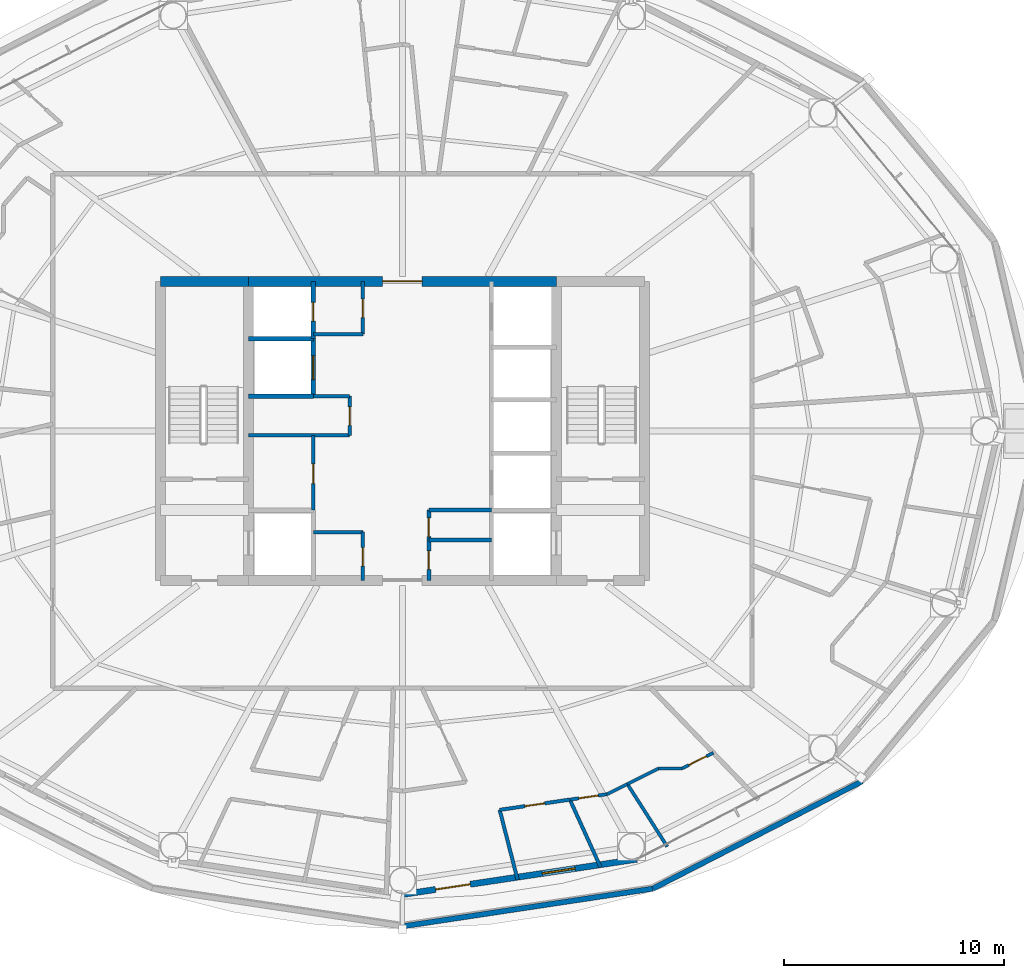
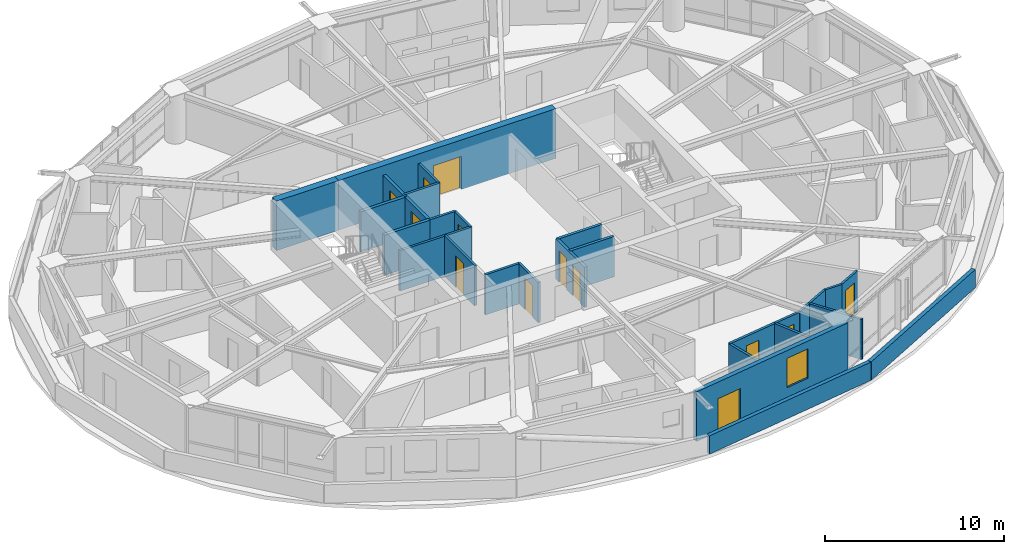
# One storey, part 21 of 27: 29 walls, 13 doors, 1 window, 14 openings.
"""IFC4 building model written with IfcOpenShell, lengths in metres."""

from ifc_helpers import new_model, si_unit, direction, frame, frame_2d, origin, place, context, subcontext, project, spatial, rectangle, extrude, material, layer, layer_set, type_object, element, fill, save


model = new_model("IFC4")

# Units and contexts
model_context = context("Model", 3, precision=1e-05, world=origin(), true_north=direction((0.0, 1.0)))
body_context = subcontext(model_context, "Body", "Model", "MODEL_VIEW")
ifc_project = project(units=[si_unit("LENGTHUNIT", "METRE"), si_unit("AREAUNIT", "SQUARE_METRE"), si_unit("VOLUMEUNIT", "CUBIC_METRE"), si_unit("PLANEANGLEUNIT", "RADIAN"), si_unit("MASSUNIT", "GRAM", prefix="KILO")], contexts=[model_context])

# Site, building, storey
site_placement = place(None, origin())
site = spatial("IfcSite", under=ifc_project, at=site_placement, CompositionType="ELEMENT")
building_placement = place(site_placement, origin())
building = spatial("IfcBuilding", under=site, at=building_placement, Name="Sarneth Arch Tower", CompositionType="ELEMENT")
storey_placement = place(building_placement, frame((0.0, 0.0, 150.60009765625)))
storey = spatial("IfcBuildingStorey", under=building, at=storey_placement, Name="L37", CompositionType="ELEMENT", Elevation=150.60009765625)

# Wall
ifc_material_1 = material(Name="Concrete C50/60", Category="concrete")
ifc_layer_1 = layer(ifc_material_1, 0.449951171875)
ifc_layer_set_1 = layer_set([ifc_layer_1], Name="Concrete C50/60")
wall_type_1 = type_object("IfcWallType", Name="WALL-CORE-450", PredefinedType="SHEAR", material=ifc_layer_set_1)
wall_1_placement = place(storey_placement, frame((37.0, 48.800048828125, 0.0), z_axis=(0.0, 0.0, 1.0), x_axis=(1.0, 0.0, 0.0)))
element("IfcWall", 1, at=wall_1_placement, inside=storey, type_object=wall_type_1, Name="L37 Core shear wall N-W", PredefinedType="SHEAR", context=body_context, shape_type="SweptSolid", body=[
    extrude(rectangle(XDim=4.0, YDim=0.449951171875, at=frame_2d((2.0, 0.0))), origin(), (0.0, 0.0, 1.0), 3.3798828125),
])

# Wall, opening, door
wall_2_placement = place(storey_placement, frame((41.0, 48.800048828125, 0.0), z_axis=(0.0, 0.0, 1.0), x_axis=(1.0, 0.0, 0.0)))
wall_2 = element("IfcWall", 2, at=wall_2_placement, inside=storey, type_object=wall_type_1, Name="L37 Core shear wall N-M", PredefinedType="SHEAR", context=body_context, shape_type="SweptSolid", body=[
    extrude(rectangle(XDim=14.0, YDim=0.449951171875, at=frame_2d((7.0, 0.0))), origin(), (0.0, 0.0, 1.0), 3.3798828125),
])
opening_1_placement = place(wall_2_placement, frame((6.10009765625, 0.0, 0.0)))
opening_1 = element("IfcOpeningElement", 3, at=opening_1_placement, cuts=wall_2, Name="Opening FD-01", PredefinedType="OPENING", context=body_context, shape_type="SweptSolid", body=[
    extrude(rectangle(XDim=1.800048828125, YDim=2.25, at=frame_2d((0.89990234375, 1.125))), frame((0.0, 0.23486328125, 0.0), z_axis=(0.0, -1.0, 0.0), x_axis=(1.0, 0.0, 0.0)), (0.0, 0.0, 1.0), 0.469970703125),
])
ifc_material_2 = material(Name="Galvanised Steel S275 fire door set", Category="steel")
door_type_1 = type_object("IfcDoorType", Name="DR-FD90-1800", OperationType="DOUBLE_DOOR_SINGLE_SWING", PredefinedType="DOOR", material=ifc_material_2)
door_1_placement = place(opening_1_placement, origin())
door_1 = element("IfcDoor", 4, at=door_1_placement, inside=storey, type_object=door_type_1, Name="L37 Central lift lobby north door", OperationType="DOUBLE_DOOR_SINGLE_SWING", OverallHeight=2.25, OverallWidth=1.800048828125, PredefinedType="DOOR", context=body_context, shape_type="SweptSolid", body=[
    extrude(rectangle(XDim=1.800048828125, YDim=2.25, at=frame_2d((0.89990234375, 1.125))), frame((0.0, 0.02490234375, 0.0), z_axis=(0.0, -1.0, 0.0), x_axis=(1.0, 0.0, 0.0)), (0.0, 0.0, 1.0), 0.050048828125),
])
fill(opening_1, door_1)

# Wall, openings, door, window
ifc_material_3 = material(Name="Extruded terracotta rainscreen on Concrete C40/50 backing", Category="masonry")
ifc_layer_2 = layer(ifc_material_3, 0.280029296875)
ifc_layer_set_2 = layer_set([ifc_layer_2], Name="Extruded terracotta rainscreen on Concrete C40/50 backing")
wall_type_2 = type_object("IfcWallType", Name="WALL-EXT-TERRA-280", PredefinedType="SOLIDWALL", material=ifc_layer_set_2)
wall_3_placement = place(storey_placement, frame((48.0, 20.919921875, 0.0), z_axis=(0.0, 0.0, 1.0), x_axis=(0.988863993413, 0.148822049884, 0.0)))
wall_3 = element("IfcWall", 5, at=wall_3_placement, inside=storey, type_object=wall_type_2, Name="L37 Terracotta perimeter wall 13", PredefinedType="SOLIDWALL", context=body_context, shape_type="SweptSolid", body=[
    extrude(rectangle(XDim=10.782958984375, YDim=0.280029296875, at=frame_2d((5.3916015625, 0.0))), origin(), (0.0, 0.0, 1.0), 3.3798828125),
])
opening_2_placement = place(wall_3_placement, frame((1.523681640625, 0.0, 0.0)))
opening_2 = element("IfcOpeningElement", 6, at=opening_2_placement, cuts=wall_3, Name="Opening BD-1", PredefinedType="OPENING", context=body_context, shape_type="SweptSolid", body=[
    extrude(rectangle(XDim=1.60009765625, YDim=2.25, at=frame_2d((0.800048828125, 1.125))), frame((0.0, 0.14990234375, 0.0), z_axis=(0.0, -1.0, 0.0), x_axis=(1.0, 0.0, 0.0)), (0.0, 0.0, 1.0), 0.300048828125),
])
opening_3_placement = place(wall_3_placement, frame((6.437255859375, 0.0, 0.85009765625)))
opening_3 = element("IfcOpeningElement", 7, at=opening_3_placement, cuts=wall_3, Name="Opening W-06", PredefinedType="OPENING", context=body_context, shape_type="SweptSolid", body=[
    extrude(rectangle(XDim=1.5, YDim=2.0, at=frame_2d((0.75, 1.0))), frame((0.0, 0.14990234375, 0.0), z_axis=(0.0, -1.0, 0.0), x_axis=(1.0, 0.0, 0.0)), (0.0, 0.0, 1.0), 0.300048828125),
])
ifc_material_4 = material(Name="Thermally broken Aluminium 6063-T6 and laminated safety glass", Category="aluminium")
door_type_2 = type_object("IfcDoorType", Name="DR-BALC-GLZ-1600", OperationType="DOUBLE_DOOR_SINGLE_SWING", PredefinedType="DOOR", material=ifc_material_4)
door_2_placement = place(opening_2_placement, origin())
door_2 = element("IfcDoor", 8, at=door_2_placement, inside=storey, type_object=door_type_2, Name="L37 Maintenance roof access door 13", OperationType="DOUBLE_DOOR_SINGLE_SWING", OverallHeight=2.25, OverallWidth=1.60009765625, PredefinedType="DOOR", context=body_context, shape_type="SweptSolid", body=[
    extrude(rectangle(XDim=1.60009765625, YDim=2.25, at=frame_2d((0.800048828125, 1.125))), frame((0.0, 0.02490234375, 0.0), z_axis=(0.0, -1.0, 0.0), x_axis=(1.0, 0.0, 0.0)), (0.0, 0.0, 1.0), 0.050048828125),
])
fill(opening_2, door_2)
ifc_material_5 = material(Name="Thermally broken Aluminium 6063-T6 and low-e laminated IGU", Category="aluminium")
window_type = type_object("IfcWindowType", Name="WIN-TWR-1500x2000", PartitioningType="SINGLE_PANEL", PredefinedType="WINDOW", material=ifc_material_5)
window_placement = place(opening_3_placement, origin())
window = element("IfcWindow", 9, at=window_placement, inside=storey, type_object=window_type, Name="L37 Exterior window 13A", OverallHeight=2.0, OverallWidth=1.5, PartitioningType="SINGLE_PANEL", PredefinedType="WINDOW", context=body_context, shape_type="SweptSolid", body=[
    extrude(rectangle(XDim=1.5, YDim=2.0, at=frame_2d((0.75, 1.0))), frame((0.0, 0.030029296875, 0.0), z_axis=(0.0, -1.0, 0.0), x_axis=(1.0, 0.0, 0.0)), (0.0, 0.0, 1.0), 0.06005859375),
])
fill(opening_3, window)

# Walls
ifc_material_6 = material(Name="Extruded terracotta rainscreen on Concrete C40/50 backing", Category="masonry")
ifc_layer_3 = layer(ifc_material_6, 0.239990234375)
ifc_layer_set_3 = layer_set([ifc_layer_3], Name="Extruded terracotta rainscreen on Concrete C40/50 backing")
wall_type_3 = type_object("IfcWallType", Name="WALL-PARAPET-240", PredefinedType="PARAPET", material=ifc_layer_set_3)
wall_4_placement = place(storey_placement, frame((48.0, 19.469970703125, 0.0), z_axis=(0.0, 0.0, 1.0), x_axis=(0.988851144077, 0.148907403638, 0.0)))
element("IfcWall", 10, at=wall_4_placement, inside=storey, type_object=wall_type_3, Name="L37 Setback roof parapet 13", PredefinedType="PARAPET", context=body_context, shape_type="SweptSolid", body=[
    extrude(rectangle(XDim=11.517822265625, YDim=0.239990234375, at=frame_2d((5.7587890625, 0.0))), origin(), (0.0, 0.0, 1.0), 1.25),
])
wall_5_placement = place(storey_placement, frame((59.389404296875, 21.18505859375, 0.0), z_axis=(0.0, 0.0, 1.0), x_axis=(0.8897661473, 0.456416698992, 0.0)))
element("IfcWall", 11, at=wall_5_placement, inside=storey, type_object=wall_type_3, Name="L37 Setback roof parapet 14", PredefinedType="PARAPET", context=body_context, shape_type="SweptSolid", body=[
    extrude(rectangle(XDim=10.7001953125, YDim=0.239990234375, at=frame_2d((5.35009765625, 0.0))), origin(), (0.0, 0.0, 1.0), 1.25),
])

# Wall, opening, door
ifc_material_7 = material(Name="Apartment internal stud partition", Category="gypsum")
ifc_layer_4 = layer(ifc_material_7, 0.139892578125)
ifc_layer_set_4 = layer_set([ifc_layer_4], Name="Apartment internal stud partition")
wall_type_4 = type_object("IfcWallType", Name="WALL-PART-140", PredefinedType="PARTITIONING", material=ifc_layer_set_4)
wall_6_placement = place(storey_placement, frame((60.71337890625, 26.64990234375, 0.0), z_axis=(0.0, 0.0, 1.0), x_axis=(0.894917522296, 0.446231585937, 0.0)))
wall_6 = element("IfcWall", 12, at=wall_6_placement, inside=storey, type_object=wall_type_4, Name="L37 Interior partition W-L37-TP-096", PredefinedType="PARTITIONING", context=body_context, shape_type="SweptSolid", body=[
    extrude(rectangle(XDim=1.591552734375, YDim=0.139892578125, at=frame_2d((0.7958984375, 0.0))), origin(), (0.0, 0.0, 1.0), 2.739990234375),
])
opening_4_placement = place(wall_6_placement, frame((0.345703125, 0.0, 0.0)))
opening_4 = element("IfcOpeningElement", 13, at=opening_4_placement, cuts=wall_6, Name="Opening ID-01", PredefinedType="OPENING", context=body_context, shape_type="SweptSolid", body=[
    extrude(rectangle(XDim=0.89990234375, YDim=2.10009765625, at=frame_2d((0.449951171875, 1.050048828125))), frame((0.0, 0.079833984375, 0.0), z_axis=(0.0, -1.0, 0.0), x_axis=(1.0, 0.0, 0.0)), (0.0, 0.0, 1.0), 0.159912109375),
])
ifc_material_8 = material(Name="Engineered hardwood flush door", Category="wood")
door_type_3 = type_object("IfcDoorType", Name="DR-INT-900", OperationType="SINGLE_SWING_LEFT", PredefinedType="DOOR", material=ifc_material_8)
door_3_placement = place(opening_4_placement, origin())
door_3 = element("IfcDoor", 14, at=door_3_placement, inside=storey, type_object=door_type_3, Name="L37 Interior door DR-L37-U7-BED2", OperationType="SINGLE_SWING_RIGHT", OverallHeight=2.10009765625, OverallWidth=0.89990234375, PredefinedType="DOOR", context=body_context, shape_type="SweptSolid", body=[
    extrude(rectangle(XDim=0.89990234375, YDim=2.10009765625, at=frame_2d((0.449951171875, 1.050048828125))), frame((0.0, 0.02490234375, 0.0), z_axis=(0.0, -1.0, 0.0), x_axis=(1.0, 0.0, 0.0)), (0.0, 0.0, 1.0), 0.050048828125),
])
fill(opening_4, door_3)

# Walls
wall_7_placement = place(storey_placement, frame((58.22998046875, 25.94189453125, 0.0), z_axis=(0.0, 0.0, 1.0), x_axis=(0.895072075717, 0.445921494516, 0.0)))
element("IfcWall", 15, at=wall_7_placement, inside=storey, type_object=wall_type_4, Name="L37 Interior partition W-L37-TP-094", PredefinedType="PARTITIONING", context=body_context, shape_type="SweptSolid", body=[
    extrude(rectangle(XDim=1.587646484375, YDim=0.139892578125, at=frame_2d((0.7939453125, 0.0))), origin(), (0.0, 0.0, 1.0), 2.739990234375),
])
wall_8_placement = place(storey_placement, frame((59.651123046875, 26.64990234375, 0.0), z_axis=(0.0, 0.0, 1.0), x_axis=(1.0, 0.0, 0.0)))
element("IfcWall", 16, at=wall_8_placement, inside=storey, type_object=wall_type_4, Name="L37 Interior partition W-L37-TP-095", PredefinedType="PARTITIONING", context=body_context, shape_type="SweptSolid", body=[
    extrude(rectangle(XDim=1.062255859375, YDim=0.139892578125, at=frame_2d((0.53125, 0.0))), origin(), (0.0, 0.0, 1.0), 2.739990234375),
])

# Wall, opening, door
ifc_material_9 = material(Name="Acoustic gypsum stud partition", Category="gypsum")
ifc_layer_5 = layer(ifc_material_9, 0.14990234375)
ifc_layer_set_5 = layer_set([ifc_layer_5], Name="Acoustic gypsum stud partition")
wall_type_5 = type_object("IfcWallType", Name="WALL-PART-150", PredefinedType="PARTITIONING", material=ifc_layer_set_5)
wall_9_placement = place(storey_placement, frame((43.949951171875, 38.39990234375, 0.0), z_axis=(0.0, 0.0, 1.0), x_axis=(0.0, 1.0, 0.0)))
wall_9 = element("IfcWall", 17, at=wall_9_placement, inside=storey, type_object=wall_type_5, Name="L37 Interior partition W-L37-RECPL-E1", PredefinedType="PARTITIONING", context=body_context, shape_type="SweptSolid", body=[
    extrude(rectangle(XDim=3.400146484375, YDim=0.14990234375, at=frame_2d((1.7001953125, 0.0))), origin(), (0.0, 0.0, 1.0), 2.739990234375),
])
opening_5_placement = place(wall_9_placement, frame((1.199951171875, 0.0, 0.0)))
opening_5 = element("IfcOpeningElement", 18, at=opening_5_placement, cuts=wall_9, Name="Opening FD-10", PredefinedType="OPENING", context=body_context, shape_type="SweptSolid", body=[
    extrude(rectangle(XDim=0.89990234375, YDim=2.14990234375, at=frame_2d((0.449951171875, 1.074951171875))), frame((0.0, 0.0849609375, 0.0), z_axis=(0.0, -1.0, 0.0), x_axis=(1.0, 0.0, 0.0)), (0.0, 0.0, 1.0), 0.169921875),
])
ifc_material_10 = material(Name="Galvanised Steel S275 riser/service fire door", Category="steel")
door_type_4 = type_object("IfcDoorType", Name="DR-FD60-900", OperationType="SINGLE_SWING_LEFT", PredefinedType="DOOR", material=ifc_material_10)
door_4_placement = place(opening_5_placement, origin())
door_4 = element("IfcDoor", 19, at=door_4_placement, inside=storey, type_object=door_type_4, Name="L37 Interior door DR-L37-RECPL1", OperationType="SINGLE_SWING_LEFT", OverallHeight=2.14990234375, OverallWidth=0.89990234375, PredefinedType="DOOR", context=body_context, shape_type="SweptSolid", body=[
    extrude(rectangle(XDim=0.89990234375, YDim=2.14990234375, at=frame_2d((0.449951171875, 1.074951171875))), frame((0.0, 0.02490234375, 0.0), z_axis=(0.0, -1.0, 0.0), x_axis=(1.0, 0.0, 0.0)), (0.0, 0.0, 1.0), 0.050048828125),
])
fill(opening_5, door_4)

# Walls
wall_10_placement = place(storey_placement, frame((41.0, 41.800048828125, 0.0), z_axis=(0.0, 0.0, 1.0), x_axis=(1.0, 0.0, 0.0)))
element("IfcWall", 20, at=wall_10_placement, inside=storey, type_object=wall_type_5, Name="L37 Interior partition W-L37-RECPL-S2", PredefinedType="PARTITIONING", context=body_context, shape_type="SweptSolid", body=[
    extrude(rectangle(XDim=4.60009765625, YDim=0.14990234375, at=frame_2d((2.300048828125, 0.0))), origin(), (0.0, 0.0, 1.0), 2.739990234375),
])
wall_11_placement = place(storey_placement, frame((43.949951171875, 43.580078125, 0.0), z_axis=(0.0, 0.0, 1.0), x_axis=(1.0, 0.0, 0.0)))
element("IfcWall", 21, at=wall_11_placement, inside=storey, type_object=wall_type_5, Name="L37 Interior partition W-L37-RECPL-N2", PredefinedType="PARTITIONING", context=body_context, shape_type="SweptSolid", body=[
    extrude(rectangle(XDim=1.650146484375, YDim=0.14990234375, at=frame_2d((0.8251953125, 0.0))), origin(), (0.0, 0.0, 1.0), 2.739990234375),
])

# Wall, opening, door
wall_12_placement = place(storey_placement, frame((45.60009765625, 41.800048828125, 0.0), z_axis=(0.0, 0.0, 1.0), x_axis=(0.0, 1.0, 0.0)))
wall_12 = element("IfcWall", 22, at=wall_12_placement, inside=storey, type_object=wall_type_5, Name="L37 Interior partition W-L37-RECPL-E2", PredefinedType="PARTITIONING", context=body_context, shape_type="SweptSolid", body=[
    extrude(rectangle(XDim=1.780029296875, YDim=0.14990234375, at=frame_2d((0.89013671875, 0.0))), origin(), (0.0, 0.0, 1.0), 2.739990234375),
])
opening_6_placement = place(wall_12_placement, frame((0.449951171875, 0.0, 0.0)))
opening_6 = element("IfcOpeningElement", 23, at=opening_6_placement, cuts=wall_12, Name="Opening FD-11", PredefinedType="OPENING", context=body_context, shape_type="SweptSolid", body=[
    extrude(rectangle(XDim=0.85009765625, YDim=2.14990234375, at=frame_2d((0.425048828125, 1.074951171875))), frame((0.0, 0.0849609375, 0.0), z_axis=(0.0, -1.0, 0.0), x_axis=(1.0, 0.0, 0.0)), (0.0, 0.0, 1.0), 0.169921875),
])
ifc_material_11 = material(Name="Galvanised Steel S275 closet fire door", Category="steel")
door_type_5 = type_object("IfcDoorType", Name="DR-FD60-850", OperationType="SINGLE_SWING_LEFT", PredefinedType="DOOR", material=ifc_material_11)
door_5_placement = place(opening_6_placement, origin())
door_5 = element("IfcDoor", 24, at=door_5_placement, inside=storey, type_object=door_type_5, Name="L37 Interior door DR-L37-RECPL2", OperationType="SINGLE_SWING_RIGHT", OverallHeight=2.14990234375, OverallWidth=0.85009765625, PredefinedType="DOOR", context=body_context, shape_type="SweptSolid", body=[
    extrude(rectangle(XDim=0.85009765625, YDim=2.14990234375, at=frame_2d((0.425048828125, 1.074951171875))), frame((0.0, 0.02490234375, 0.0), z_axis=(0.0, -1.0, 0.0), x_axis=(1.0, 0.0, 0.0)), (0.0, 0.0, 1.0), 0.050048828125),
])
fill(opening_6, door_5)

# Wall
wall_13_placement = place(storey_placement, frame((43.949951171875, 37.39990234375, 0.0), z_axis=(0.0, 0.0, 1.0), x_axis=(1.0, 0.0, 0.0)))
element("IfcWall", 25, at=wall_13_placement, inside=storey, type_object=wall_type_5, Name="L37 Interior partition W-L37-CSUP1-N", PredefinedType="PARTITIONING", context=body_context, shape_type="SweptSolid", body=[
    extrude(rectangle(XDim=2.25, YDim=0.14990234375, at=frame_2d((1.125, 0.0))), origin(), (0.0, 0.0, 1.0), 2.739990234375),
])

# Wall, opening, door
wall_14_placement = place(storey_placement, frame((46.199951171875, 35.199951171875, 0.0), z_axis=(0.0, 0.0, 1.0), x_axis=(0.0, 1.0, 0.0)))
wall_14 = element("IfcWall", 26, at=wall_14_placement, inside=storey, type_object=wall_type_5, Name="L37 Interior partition W-L37-CSUP1-E", PredefinedType="PARTITIONING", context=body_context, shape_type="SweptSolid", body=[
    extrude(rectangle(XDim=2.199951171875, YDim=0.14990234375, at=frame_2d((1.10009765625, 0.0))), origin(), (0.0, 0.0, 1.0), 2.739990234375),
])
opening_7_placement = place(wall_14_placement, frame((0.64990234375, 0.0, 0.0)))
opening_7 = element("IfcOpeningElement", 27, at=opening_7_placement, cuts=wall_14, Name="Opening FD-11", PredefinedType="OPENING", context=body_context, shape_type="SweptSolid", body=[
    extrude(rectangle(XDim=0.85009765625, YDim=2.14990234375, at=frame_2d((0.425048828125, 1.074951171875))), frame((0.0, 0.0849609375, 0.0), z_axis=(0.0, -1.0, 0.0), x_axis=(1.0, 0.0, 0.0)), (0.0, 0.0, 1.0), 0.169921875),
])
door_6_placement = place(opening_7_placement, origin())
door_6 = element("IfcDoor", 28, at=door_6_placement, inside=storey, type_object=door_type_5, Name="L37 Interior door DR-L37-CSUP1", OperationType="SINGLE_SWING_LEFT", OverallHeight=2.14990234375, OverallWidth=0.85009765625, PredefinedType="DOOR", context=body_context, shape_type="SweptSolid", body=[
    extrude(rectangle(XDim=0.85009765625, YDim=2.14990234375, at=frame_2d((0.425048828125, 1.074951171875))), frame((0.0, 0.02490234375, 0.0), z_axis=(0.0, -1.0, 0.0), x_axis=(1.0, 0.0, 0.0)), (0.0, 0.0, 1.0), 0.050048828125),
])
fill(opening_7, door_6)

# Wall
wall_15_placement = place(storey_placement, frame((43.949951171875, 46.39990234375, 0.0), z_axis=(0.0, 0.0, 1.0), x_axis=(1.0, 0.0, 0.0)))
element("IfcWall", 29, at=wall_15_placement, inside=storey, type_object=wall_type_5, Name="L37 Interior partition W-L37-CSUP2-S", PredefinedType="PARTITIONING", context=body_context, shape_type="SweptSolid", body=[
    extrude(rectangle(XDim=2.25, YDim=0.14990234375, at=frame_2d((1.125, 0.0))), origin(), (0.0, 0.0, 1.0), 2.739990234375),
])

# Wall, opening, door
wall_16_placement = place(storey_placement, frame((46.199951171875, 46.39990234375, 0.0), z_axis=(0.0, 0.0, 1.0), x_axis=(0.0, 1.0, 0.0)))
wall_16 = element("IfcWall", 30, at=wall_16_placement, inside=storey, type_object=wall_type_5, Name="L37 Interior partition W-L37-CSUP2-E", PredefinedType="PARTITIONING", context=body_context, shape_type="SweptSolid", body=[
    extrude(rectangle(XDim=2.400146484375, YDim=0.14990234375, at=frame_2d((1.2001953125, 0.0))), origin(), (0.0, 0.0, 1.0), 2.739990234375),
])
opening_8_placement = place(wall_16_placement, frame((0.75, 0.0, 0.0)))
opening_8 = element("IfcOpeningElement", 31, at=opening_8_placement, cuts=wall_16, Name="Opening FD-11", PredefinedType="OPENING", context=body_context, shape_type="SweptSolid", body=[
    extrude(rectangle(XDim=0.85009765625, YDim=2.14990234375, at=frame_2d((0.425048828125, 1.074951171875))), frame((0.0, 0.0849609375, 0.0), z_axis=(0.0, -1.0, 0.0), x_axis=(1.0, 0.0, 0.0)), (0.0, 0.0, 1.0), 0.169921875),
])
door_7_placement = place(opening_8_placement, origin())
door_7 = element("IfcDoor", 32, at=door_7_placement, inside=storey, type_object=door_type_5, Name="L37 Interior door DR-L37-CSUP2", OperationType="SINGLE_SWING_RIGHT", OverallHeight=2.14990234375, OverallWidth=0.85009765625, PredefinedType="DOOR", context=body_context, shape_type="SweptSolid", body=[
    extrude(rectangle(XDim=0.85009765625, YDim=2.14990234375, at=frame_2d((0.425048828125, 1.074951171875))), frame((0.0, 0.02490234375, 0.0), z_axis=(0.0, -1.0, 0.0), x_axis=(1.0, 0.0, 0.0)), (0.0, 0.0, 1.0), 0.050048828125),
])
fill(opening_8, door_7)

# Wall
wall_17_placement = place(storey_placement, frame((60.042236328125, 23.097412109375, 0.0), z_axis=(0.0, 0.0, 1.0), x_axis=(-0.537325063909, 0.843375228291, 0.0)))
element("IfcWall", 33, at=wall_17_placement, inside=storey, type_object=wall_type_5, Name="L37 Interior partition W-L37-TP-099", PredefinedType="PARTITIONING", context=body_context, shape_type="SweptSolid", body=[
    extrude(rectangle(XDim=3.372802734375, YDim=0.14990234375, at=frame_2d((1.6865234375, 0.0))), origin(), (0.0, 0.0, 1.0), 2.739990234375),
])

# Wall, opening, door
wall_18_placement = place(storey_placement, frame((55.614501953125, 25.23388671875, 0.0), z_axis=(0.0, 0.0, 1.0), x_axis=(0.98949000448, 0.144601282965, 0.0)))
wall_18 = element("IfcWall", 34, at=wall_18_placement, inside=storey, type_object=wall_type_5, Name="L37 Interior partition W-L37-TP-092", PredefinedType="PARTITIONING", context=body_context, shape_type="SweptSolid", body=[
    extrude(rectangle(XDim=1.708740234375, YDim=0.14990234375, at=frame_2d((0.8544921875, 0.0))), origin(), (0.0, 0.0, 1.0), 2.739990234375),
])
opening_9_placement = place(wall_18_placement, frame((0.404296875, 0.0, 0.0)))
opening_9 = element("IfcOpeningElement", 35, at=opening_9_placement, cuts=wall_18, Name="Opening ID-01", PredefinedType="OPENING", context=body_context, shape_type="SweptSolid", body=[
    extrude(rectangle(XDim=0.89990234375, YDim=2.10009765625, at=frame_2d((0.449951171875, 1.050048828125))), frame((0.0, 0.0849609375, 0.0), z_axis=(0.0, -1.0, 0.0), x_axis=(1.0, 0.0, 0.0)), (0.0, 0.0, 1.0), 0.169921875),
])
door_8_placement = place(opening_9_placement, origin())
door_8 = element("IfcDoor", 36, at=door_8_placement, inside=storey, type_object=door_type_3, Name="L37 Interior door DR-L37-U7-BED1", OperationType="SINGLE_SWING_RIGHT", OverallHeight=2.10009765625, OverallWidth=0.89990234375, PredefinedType="DOOR", context=body_context, shape_type="SweptSolid", body=[
    extrude(rectangle(XDim=0.89990234375, YDim=2.10009765625, at=frame_2d((0.449951171875, 1.050048828125))), frame((0.0, 0.02490234375, 0.0), z_axis=(0.0, -1.0, 0.0), x_axis=(1.0, 0.0, 0.0)), (0.0, 0.0, 1.0), 0.050048828125),
])
fill(opening_9, door_8)

# Walls
wall_19_placement = place(storey_placement, frame((57.30517578125, 25.48095703125, 0.0), z_axis=(0.0, 0.0, 1.0), x_axis=(0.894993521752, 0.446079136502, 0.0)))
element("IfcWall", 37, at=wall_19_placement, inside=storey, type_object=wall_type_5, Name="L37 Interior partition W-L37-TP-093", PredefinedType="PARTITIONING", context=body_context, shape_type="SweptSolid", body=[
    extrude(rectangle(XDim=1.033203125, YDim=0.14990234375, at=frame_2d((0.5166015625, 0.0))), origin(), (0.0, 0.0, 1.0), 2.739990234375),
])
ifc_material_12 = material(Name="Kitchen wet service chase wall", Category="gypsum")
ifc_layer_6 = layer(ifc_material_12, 0.159912109375)
ifc_layer_set_6 = layer_set([ifc_layer_6], Name="Kitchen wet service chase wall")
wall_type_6 = type_object("IfcWallType", Name="WALL-PLUMB-160", PredefinedType="PLUMBINGWALL", material=ifc_layer_set_6)
wall_20_placement = place(storey_placement, frame((57.0107421875, 22.1591796875, 0.0), z_axis=(0.0, 0.0, 1.0), x_axis=(-0.413470644354, 0.910517449727, 0.0)))
element("IfcWall", 38, at=wall_20_placement, inside=storey, type_object=wall_type_6, Name="L37 Interior partition W-L37-TP-098", PredefinedType="PLUMBINGWALL", context=body_context, shape_type="SweptSolid", body=[
    extrude(rectangle(XDim=3.376953125, YDim=0.159912109375, at=frame_2d((1.6884765625, 0.0))), origin(), (0.0, 0.0, 1.0), 2.739990234375),
])
wall_21_placement = place(storey_placement, frame((53.238525390625, 21.587646484375, 0.0), z_axis=(0.0, 0.0, 1.0), x_axis=(-0.248586515582, 0.96860969656, 0.0)))
element("IfcWall", 39, at=wall_21_placement, inside=storey, type_object=wall_type_6, Name="L37 Interior partition W-L37-TP-087", PredefinedType="PLUMBINGWALL", context=body_context, shape_type="SweptSolid", body=[
    extrude(rectangle(XDim=3.2822265625, YDim=0.159912109375, at=frame_2d((1.64111328125, 0.0))), origin(), (0.0, 0.0, 1.0), 2.739990234375),
])

# Wall, opening, door
wall_22_placement = place(storey_placement, frame((52.422607421875, 24.766845703125, 0.0), z_axis=(0.0, 0.0, 1.0), x_axis=(0.989463973078, 0.144779300941, 0.0)))
wall_22 = element("IfcWall", 40, at=wall_22_placement, inside=storey, type_object=wall_type_6, Name="L37 Interior partition W-L37-TP-088", PredefinedType="PLUMBINGWALL", context=body_context, shape_type="SweptSolid", body=[
    extrude(rectangle(XDim=3.225830078125, YDim=0.159912109375, at=frame_2d((1.61279296875, 0.0))), origin(), (0.0, 0.0, 1.0), 2.739990234375),
])
opening_10_placement = place(wall_22_placement, frame((1.162841796875, 0.0, 0.0)))
opening_10 = element("IfcOpeningElement", 41, at=opening_10_placement, cuts=wall_22, Name="Opening ID-01", PredefinedType="OPENING", context=body_context, shape_type="SweptSolid", body=[
    extrude(rectangle(XDim=0.89990234375, YDim=2.10009765625, at=frame_2d((0.449951171875, 1.050048828125))), frame((0.0, 0.08984375, 0.0), z_axis=(0.0, -1.0, 0.0), x_axis=(1.0, 0.0, 0.0)), (0.0, 0.0, 1.0), 0.179931640625),
])
door_9_placement = place(opening_10_placement, origin())
door_9 = element("IfcDoor", 42, at=door_9_placement, inside=storey, type_object=door_type_3, Name="L37 Interior door DR-L37-U7-KIT", OperationType="SINGLE_SWING_LEFT", OverallHeight=2.10009765625, OverallWidth=0.89990234375, PredefinedType="DOOR", context=body_context, shape_type="SweptSolid", body=[
    extrude(rectangle(XDim=0.89990234375, YDim=2.10009765625, at=frame_2d((0.449951171875, 1.050048828125))), frame((0.0, 0.02490234375, 0.0), z_axis=(0.0, -1.0, 0.0), x_axis=(1.0, 0.0, 0.0)), (0.0, 0.0, 1.0), 0.050048828125),
])
fill(opening_10, door_9)

# Walls
ifc_material_13 = material(Name="Moisture-resistant plumbing chase wall", Category="gypsum")
ifc_layer_7 = layer(ifc_material_13, 0.179931640625)
ifc_layer_set_7 = layer_set([ifc_layer_7], Name="Moisture-resistant plumbing chase wall")
wall_type_7 = type_object("IfcWallType", Name="WALL-PLUMB-180", PredefinedType="PLUMBINGWALL", material=ifc_layer_set_7)
for number, where, z_axis, x_axis, name in (
    (43, (49.199951171875, 37.050048828125, 0.0), (0.0, 0.0, 1.0), (1.0, 0.0, 0.0), "L37 Interior partition W-L37-AWC-M"),
    (44, (49.199951171875, 38.39990234375, 0.0), (0.0, 0.0, 1.0), (1.0, 0.0, 0.0), "L37 Interior partition W-L37-AWC-N"),
):
    element("IfcWall", number, at=place(storey_placement, frame(where, z_axis=z_axis, x_axis=x_axis)), inside=storey, type_object=wall_type_7, Name=name, PredefinedType="PLUMBINGWALL", context=body_context, shape_type="SweptSolid", body=[
        extrude(rectangle(XDim=2.85009765625, YDim=0.179931640625, at=frame_2d((1.425048828125, 0.0))), origin(), (0.0, 0.0, 1.0), 2.739990234375),
    ])

# Wall, openings, doors
wall_23_placement = place(storey_placement, frame((49.199951171875, 35.199951171875, 0.0), z_axis=(0.0, 0.0, 1.0), x_axis=(0.0, 1.0, 0.0)))
wall_23 = element("IfcWall", 45, at=wall_23_placement, inside=storey, type_object=wall_type_7, Name="L37 Interior partition W-L37-AWC-W", PredefinedType="PLUMBINGWALL", context=body_context, shape_type="SweptSolid", body=[
    extrude(rectangle(XDim=3.199951171875, YDim=0.179931640625, at=frame_2d((1.60009765625, 0.0))), origin(), (0.0, 0.0, 1.0), 2.739990234375),
])
opening_11_placement = place(wall_23_placement, frame((0.5, 0.0, 0.0)))
opening_11 = element("IfcOpeningElement", 46, at=opening_11_placement, cuts=wall_23, Name="Opening ID-02", PredefinedType="OPENING", context=body_context, shape_type="SweptSolid", body=[
    extrude(rectangle(XDim=0.85009765625, YDim=2.10009765625, at=frame_2d((0.425048828125, 1.050048828125))), frame((0.0, 0.099853515625, 0.0), z_axis=(0.0, -1.0, 0.0), x_axis=(1.0, 0.0, 0.0)), (0.0, 0.0, 1.0), 0.199951171875),
])
opening_12_placement = place(wall_23_placement, frame((2.0, 0.0, 0.0)))
opening_12 = element("IfcOpeningElement", 47, at=opening_12_placement, cuts=wall_23, Name="Opening FD-11", PredefinedType="OPENING", context=body_context, shape_type="SweptSolid", body=[
    extrude(rectangle(XDim=0.85009765625, YDim=2.14990234375, at=frame_2d((0.425048828125, 1.074951171875))), frame((0.0, 0.099853515625, 0.0), z_axis=(0.0, -1.0, 0.0), x_axis=(1.0, 0.0, 0.0)), (0.0, 0.0, 1.0), 0.199951171875),
])
door_10_placement = place(opening_12_placement, origin())
door_10 = element("IfcDoor", 48, at=door_10_placement, inside=storey, type_object=door_type_5, Name="L37 Interior door DR-L37-CSUP3", OperationType="SINGLE_SWING_LEFT", OverallHeight=2.14990234375, OverallWidth=0.85009765625, PredefinedType="DOOR", context=body_context, shape_type="SweptSolid", body=[
    extrude(rectangle(XDim=0.85009765625, YDim=2.14990234375, at=frame_2d((0.425048828125, 1.074951171875))), frame((0.0, 0.02490234375, 0.0), z_axis=(0.0, -1.0, 0.0), x_axis=(1.0, 0.0, 0.0)), (0.0, 0.0, 1.0), 0.050048828125),
])
fill(opening_12, door_10)
ifc_material_14 = material(Name="Moisture-resistant bathroom timber door", Category="wood")
door_type_6 = type_object("IfcDoorType", Name="DR-INT-850", OperationType="SINGLE_SWING_RIGHT", PredefinedType="DOOR", material=ifc_material_14)
door_11_placement = place(opening_11_placement, origin())
door_11 = element("IfcDoor", 49, at=door_11_placement, inside=storey, type_object=door_type_6, Name="L37 Interior door DR-L37-AWC", OperationType="SINGLE_SWING_RIGHT", OverallHeight=2.10009765625, OverallWidth=0.85009765625, PredefinedType="DOOR", context=body_context, shape_type="SweptSolid", body=[
    extrude(rectangle(XDim=0.85009765625, YDim=2.10009765625, at=frame_2d((0.425048828125, 1.050048828125))), frame((0.0, 0.02490234375, 0.0), z_axis=(0.0, -1.0, 0.0), x_axis=(1.0, 0.0, 0.0)), (0.0, 0.0, 1.0), 0.050048828125),
])
fill(opening_11, door_11)

# Wall
ifc_material_15 = material(Name="Aerated concrete blockwork C25/30", Category="masonry")
ifc_layer_8 = layer(ifc_material_15, 0.199951171875)
ifc_layer_set_8 = layer_set([ifc_layer_8], Name="Aerated concrete blockwork C25/30")
wall_type_8 = type_object("IfcWallType", Name="WALL-SHAFT-200", PredefinedType="SOLIDWALL", material=ifc_layer_set_8)
wall_24_placement = place(storey_placement, frame((41.0, 46.199951171875, 0.0), z_axis=(0.0, 0.0, 1.0), x_axis=(1.0, 0.0, 0.0)))
element("IfcWall", 50, at=wall_24_placement, inside=storey, type_object=wall_type_8, Name="L37 Interior partition W-L37-RISER-S", PredefinedType="SOLIDWALL", context=body_context, shape_type="SweptSolid", body=[
    extrude(rectangle(XDim=2.949951171875, YDim=0.199951171875, at=frame_2d((1.47509765625, 0.0))), origin(), (0.0, 0.0, 1.0), 2.739990234375),
])

# Wall, opening, door
wall_25_placement = place(storey_placement, frame((43.949951171875, 46.199951171875, 0.0), z_axis=(0.0, 0.0, 1.0), x_axis=(0.0, 1.0, 0.0)))
wall_25 = element("IfcWall", 51, at=wall_25_placement, inside=storey, type_object=wall_type_8, Name="L37 Interior partition W-L37-RISER-E", PredefinedType="SOLIDWALL", context=body_context, shape_type="SweptSolid", body=[
    extrude(rectangle(XDim=2.60009765625, YDim=0.199951171875, at=frame_2d((1.300048828125, 0.0))), origin(), (0.0, 0.0, 1.0), 2.739990234375),
])
opening_13_placement = place(wall_25_placement, frame((0.800048828125, 0.0, 0.0)))
opening_13 = element("IfcOpeningElement", 52, at=opening_13_placement, cuts=wall_25, Name="Opening FD-11", PredefinedType="OPENING", context=body_context, shape_type="SweptSolid", body=[
    extrude(rectangle(XDim=0.85009765625, YDim=2.14990234375, at=frame_2d((0.425048828125, 1.074951171875))), frame((0.0, 0.10986328125, 0.0), z_axis=(0.0, -1.0, 0.0), x_axis=(1.0, 0.0, 0.0)), (0.0, 0.0, 1.0), 0.219970703125),
])
door_12_placement = place(opening_13_placement, origin())
door_12 = element("IfcDoor", 53, at=door_12_placement, inside=storey, type_object=door_type_5, Name="L37 Lift landing door DR-L37-RISER", OperationType="SINGLE_SWING_LEFT", OverallHeight=2.14990234375, OverallWidth=0.85009765625, PredefinedType="DOOR", context=body_context, shape_type="SweptSolid", body=[
    extrude(rectangle(XDim=0.85009765625, YDim=2.14990234375, at=frame_2d((0.425048828125, 1.074951171875))), frame((0.0, 0.02490234375, 0.0), z_axis=(0.0, -1.0, 0.0), x_axis=(1.0, 0.0, 0.0)), (0.0, 0.0, 1.0), 0.050048828125),
])
fill(opening_13, door_12)

# Wall
wall_26_placement = place(storey_placement, frame((41.0, 43.580078125, 0.0), z_axis=(0.0, 0.0, 1.0), x_axis=(1.0, 0.0, 0.0)))
element("IfcWall", 54, at=wall_26_placement, inside=storey, type_object=wall_type_8, Name="L37 Interior partition W-L37-PM1-S", PredefinedType="SOLIDWALL", context=body_context, shape_type="SweptSolid", body=[
    extrude(rectangle(XDim=2.949951171875, YDim=0.199951171875, at=frame_2d((1.47509765625, 0.0))), origin(), (0.0, 0.0, 1.0), 2.739990234375),
])

# Wall, opening, door
wall_27_placement = place(storey_placement, frame((43.949951171875, 43.580078125, 0.0), z_axis=(0.0, 0.0, 1.0), x_axis=(0.0, 1.0, 0.0)))
wall_27 = element("IfcWall", 55, at=wall_27_placement, inside=storey, type_object=wall_type_8, Name="L37 Interior partition W-L37-PM1-FRONT", PredefinedType="SOLIDWALL", context=body_context, shape_type="SweptSolid", body=[
    extrude(rectangle(XDim=2.619873046875, YDim=0.199951171875, at=frame_2d((1.31005859375, 0.0))), origin(), (0.0, 0.0, 1.0), 2.739990234375),
])
opening_14_placement = place(wall_27_placement, frame((0.75, 0.0, 0.0)))
opening_14 = element("IfcOpeningElement", 56, at=opening_14_placement, cuts=wall_27, Name="Opening LD-1", PredefinedType="OPENING", context=body_context, shape_type="SweptSolid", body=[
    extrude(rectangle(XDim=1.10009765625, YDim=2.199951171875, at=frame_2d((0.550048828125, 1.10009765625))), frame((0.0, 0.10986328125, 0.0), z_axis=(0.0, -1.0, 0.0), x_axis=(1.0, 0.0, 0.0)), (0.0, 0.0, 1.0), 0.219970703125),
])
ifc_material_16 = material(Name="Brushed Stainless Steel 304 lift landing door", Category="steel")
door_type_7 = type_object("IfcDoorType", Name="DR-LIFT-SLIDE-1100", OperationType="SLIDING_TO_LEFT", PredefinedType="DOOR", material=ifc_material_16)
door_13_placement = place(opening_14_placement, origin())
door_13 = element("IfcDoor", 57, at=door_13_placement, inside=storey, type_object=door_type_7, Name="L37 Lift landing door DR-L37-LD-PM1", OperationType="SLIDING_TO_LEFT", OverallHeight=2.199951171875, OverallWidth=1.10009765625, PredefinedType="DOOR", context=body_context, shape_type="SweptSolid", body=[
    extrude(rectangle(XDim=1.10009765625, YDim=2.199951171875, at=frame_2d((0.550048828125, 1.10009765625))), frame((0.0, 0.02490234375, 0.0), z_axis=(0.0, -1.0, 0.0), x_axis=(1.0, 0.0, 0.0)), (0.0, 0.0, 1.0), 0.050048828125),
])
fill(opening_14, door_13)

save(model, "model.ifc")
